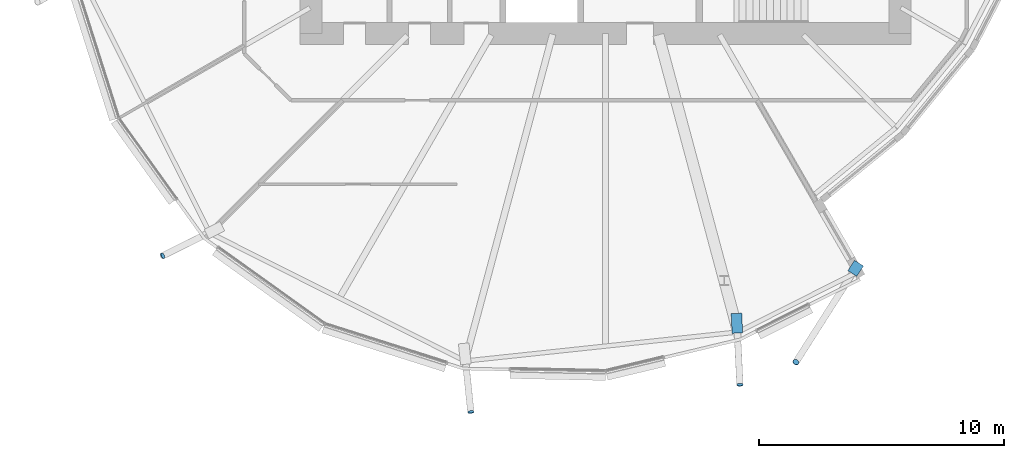
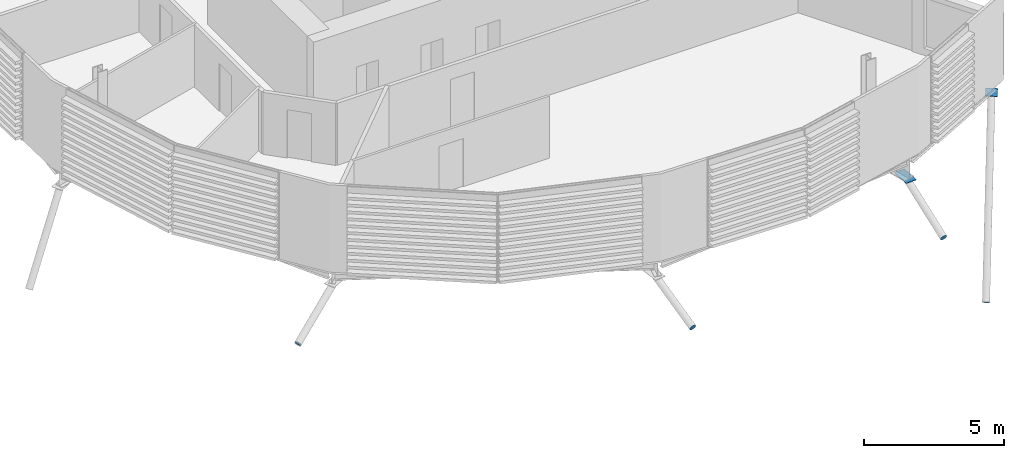
# One storey, part 31 of 38: 6 discrete accessories.
"""IFC4 building model written with IfcOpenShell, lengths in metres."""

from ifc_helpers import new_model, si_unit, direction, frame, origin, origin_2d, place, context, subcontext, project, spatial, polyline, rectangle, circle, outline, extrude, material, material_profile, profile_set, type_object, element, save


model = new_model("IFC4")

# Units and contexts
model_context = context("Model", 3, precision=1e-05, world=origin(), true_north=direction((0.0, 1.0)))
body_context = subcontext(model_context, "Body", "Model", "MODEL_VIEW")
ifc_project = project(units=[si_unit("LENGTHUNIT", "METRE"), si_unit("AREAUNIT", "SQUARE_METRE"), si_unit("VOLUMEUNIT", "CUBIC_METRE"), si_unit("PLANEANGLEUNIT", "RADIAN"), si_unit("MASSUNIT", "GRAM", prefix="KILO")], contexts=[model_context])

# Site, building, storey
site_placement = place(None, origin())
site = spatial("IfcSite", under=ifc_project, at=site_placement, CompositionType="ELEMENT")
building_placement = place(site_placement, origin())
building = spatial("IfcBuilding", under=site, at=building_placement, Name="Rimbun Link Towers", CompositionType="ELEMENT")
storey_placement = place(building_placement, frame((0.0, 0.0, 56.60009765625)))
storey = spatial("IfcBuildingStorey", under=building, at=storey_placement, Name="L13", CompositionType="ELEMENT", Elevation=56.60009765625)

# Discrete accessories
ifc_material_1 = material(Name="Steel S355J2H", Category="steel")
ifc_material_profile_1 = material_profile(ifc_material_1, circle(Radius=0.1240234375, at=origin_2d()), Name="PL D248")
ifc_profile_set_1 = profile_set([ifc_material_profile_1], Name="Steel S355J2H")
discrete_accessory_type_1 = type_object("IfcDiscreteAccessoryType", Name="Link foot sealing plate D248X20", PredefinedType="BRACKET", material=ifc_profile_set_1)
for number, where, z_axis, x_axis, name in (
    (1, (13.70263671875, -17.06396484375, -2.11474609375), (-0.780720058359, -0.390360029179, -0.487950036474), (0.4472135955, -0.894427191, 0.0), "Link foot sealing plate T2 L13 12"),
    (2, (26.259521484375, -23.42919921875, -1.953369140625), (0.08553137788, -0.916407620138, -0.391000584592), (0.995672695731, 0.092929451602, 0.0), "Link foot sealing plate T2 L13 14"),
    (3, (37.230712890625, -22.319091796875, -2.55419921875), (0.036623512518, -0.903379975442, -0.427274312709), (0.999179243854, 0.040507266643, 0.0), "Link foot sealing plate T2 L13 16"),
):
    element("IfcDiscreteAccessory", number, at=place(storey_placement, frame(where, z_axis=z_axis, x_axis=x_axis)), inside=storey, type_object=discrete_accessory_type_1, Name=name, PredefinedType="BRACKET", context=body_context, shape_type="SweptSolid", body=[
        extrude(circle(Radius=0.1240234375, at=origin_2d()), origin(), (0.0, 0.0, 1.0), 0.02001953125),
    ])
discrete_accessory_1_placement = place(storey_placement, frame((39.517578125, -21.400634765625, -6.723876953125), z_axis=(-0.326249745117, -0.507499603516, -0.797499376954), x_axis=(0.841178475377, -0.540757591313, 0.0)))
element("IfcDiscreteAccessory", 4, at=discrete_accessory_1_placement, inside=storey, type_object=discrete_accessory_type_1, Name="Link foot sealing plate T2 L13 17", PredefinedType="BRACKET", context=body_context, shape_type="SweptSolid", body=[
    extrude(circle(Radius=0.1240234375, at=origin_2d()), origin(), (0.0, 0.0, 1.0), 0.020263671875),
])
ifc_material_2 = material(Name="Steel S355J2H", Category="steel")
ifc_material_profile_2 = material_profile(ifc_material_2, rectangle(XDim=0.43310546875, YDim=0.43310546875, at=origin_2d()), Name="PL 433x433")
ifc_profile_set_2 = profile_set([ifc_material_profile_2], Name="Steel S355J2H")
discrete_accessory_type_2 = type_object("IfcDiscreteAccessoryType", Name="Link head end plate 433X20", PredefinedType="BRACKET", material=ifc_profile_set_2)
discrete_accessory_2_placement = place(storey_placement, frame((0.0, 0.0, -1.380126953125)))
element("IfcDiscreteAccessory", 5, at=discrete_accessory_2_placement, inside=storey, type_object=discrete_accessory_type_2, Name="Link head end plate T2 L13 16", PredefinedType="BRACKET", context=body_context, shape_type="SweptSolid", body=[
    extrude(outline(polyline([(36.87255859375, -19.42724609375), (36.911865234375, -20.2294921875), (37.34423828125, -20.208251953125), (37.30517578125, -19.406005859375), (36.87255859375, -19.42724609375)])), origin(), (0.0, 0.0, 1.0), 0.02001953125),
])
discrete_accessory_3_placement = place(storey_placement, frame((0.0, 0.0, -0.78271484375)))
element("IfcDiscreteAccessory", 6, at=discrete_accessory_3_placement, inside=storey, type_object=discrete_accessory_type_2, Name="Link head end plate T2 L13 17", PredefinedType="BRACKET", context=body_context, shape_type="SweptSolid", body=[
    extrude(outline(polyline([(41.90234375, -17.25146484375), (41.632080078125, -17.676025390625), (41.997314453125, -17.908447265625), (42.267578125, -17.48388671875), (41.90234375, -17.25146484375)])), origin(), (0.0, 0.0, 1.0), 0.02001953125),
])

save(model, "model.ifc")
